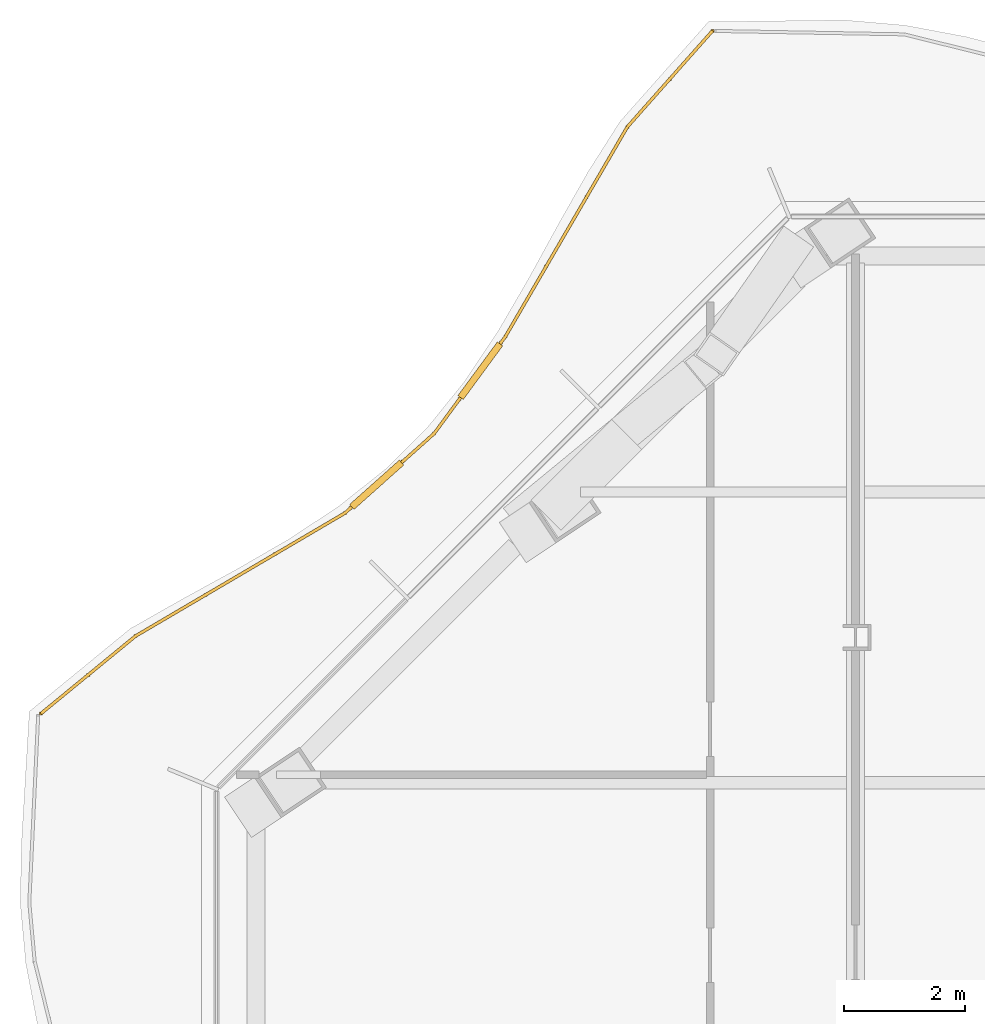
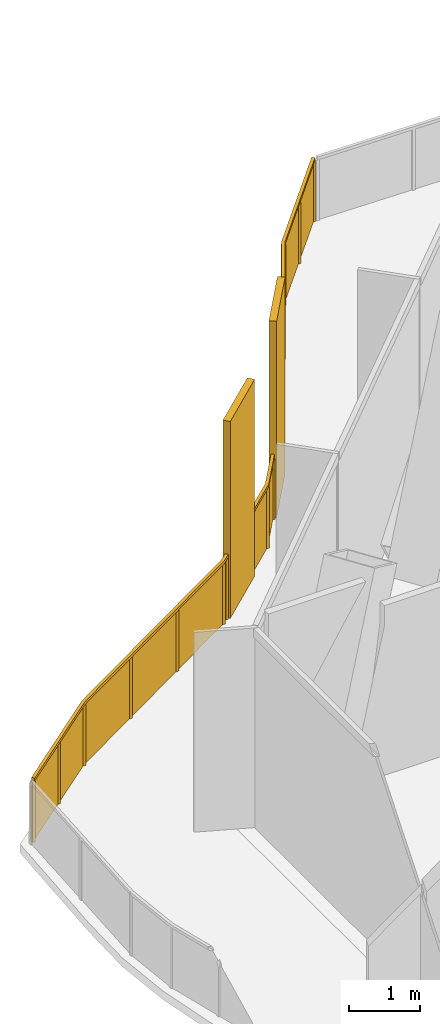
# One storey, part 18 of 20: 1 railing.
"""IFC4 building model written with IfcOpenShell, lengths in metres."""

from ifc_helpers import new_model, si_unit, direction, frame, origin, origin_2d, place, context, subcontext, project, spatial, polyline, rectangle, outline, extrude, material, type_object, element, save


model = new_model("IFC4")

# Units and contexts
model_context = context("Model", 3, precision=1e-05, world=origin(), true_north=direction((0.0, 1.0)))
body_context = subcontext(model_context, "Body", "Model", "MODEL_VIEW")
ifc_project = project(units=[si_unit("LENGTHUNIT", "METRE"), si_unit("AREAUNIT", "SQUARE_METRE"), si_unit("VOLUMEUNIT", "CUBIC_METRE"), si_unit("PLANEANGLEUNIT", "RADIAN"), si_unit("MASSUNIT", "GRAM", prefix="KILO")], contexts=[model_context])

# Site, building, storey
site_placement = place(None, origin())
site = spatial("IfcSite", under=ifc_project, at=site_placement, CompositionType="ELEMENT")
building_placement = place(site_placement, origin())
building = spatial("IfcBuilding", under=site, at=building_placement, Name="Cairn Pilgrim Tower", CompositionType="ELEMENT")
storey_placement = place(building_placement, frame((0.0, 0.0, 101.39990234375)))
storey = spatial("IfcBuildingStorey", under=building, at=storey_placement, Name="L24", CompositionType="ELEMENT", Elevation=101.39990234375)

# Railing
ifc_material = material(Name="Bronze anodised aluminium rail, posts and fin screens with laminated glass infill", Category="aluminium")
railing_type = type_object("IfcRailingType", Name="BALCONY GUARD WITH FIN SCREENS", PredefinedType="GUARDRAIL", material=ifc_material)
railing_placement = place(storey_placement, frame((-16.7626953125, 29.21630859375, 0.0)))
element("IfcRailing", 1, at=railing_placement, inside=storey, type_object=railing_type, Name="Balcony guard BGF-6 with fin screens", PredefinedType="GUARDRAIL", context=body_context, shape_type="SweptSolid", body=[
    extrude(rectangle(XDim=0.050048828125, YDim=0.050048828125, at=origin_2d()), frame((0.0, 0.0, 1.0751953125), z_axis=(-0.663247382076, -0.748400233945, 0.0), x_axis=(0.748400233945, -0.663247382076, 0.0)), (0.0, 0.0, 1.0), 2.118896484375),
    extrude(rectangle(XDim=0.050048828125, YDim=0.050048828125, at=origin_2d()), frame((-1.4052734375, -1.585693359375, 1.0751953125), z_axis=(-0.502760281441, -0.864425878491, 0.0), x_axis=(0.864425878491, -0.502760281441, 0.0)), (0.0, 0.0, 1.0), 4.005615234375),
    extrude(rectangle(XDim=1.10009765625, YDim=0.110107421875, at=origin_2d()), frame((-3.83349609375, -5.6123046875, 0.0), z_axis=(0.0, 0.0, 1.0), x_axis=(-0.592141616732, -0.805833919448, 0.0)), (0.0, 0.0, 1.0), 3.39990234375),
    extrude(rectangle(XDim=0.050048828125, YDim=0.050048828125, at=origin_2d()), frame((-3.419189453125, -5.04833984375, 1.0751953125), z_axis=(-0.592141616732, -0.805833919448, 0.0), x_axis=(0.805833919448, -0.592141616732, 0.0)), (0.0, 0.0, 1.0), 0.14990234375),
    extrude(rectangle(XDim=0.050048828125, YDim=0.050048828125, at=origin_2d()), frame((-4.1591796875, -6.055419921875, 1.0751953125), z_axis=(-0.592141616732, -0.805833919448, 0.0), x_axis=(0.805833919448, -0.592141616732, 0.0)), (0.0, 0.0, 1.0), 0.73583984375),
    extrude(rectangle(XDim=1.10009765625, YDim=0.110107421875, at=origin_2d()), frame((-5.54541015625, -7.495849609375, 0.0), z_axis=(0.0, 0.0, 1.0), x_axis=(-0.746405051274, -0.665491922891, 0.0)), (0.0, 0.0, 1.0), 3.39990234375),
    extrude(rectangle(XDim=0.050048828125, YDim=0.050048828125, at=origin_2d()), frame((-4.594970703125, -6.6484375, 1.0751953125), z_axis=(-0.746405051274, -0.665491922891, 0.0), x_axis=(0.665491922891, -0.746405051274, 0.0)), (0.0, 0.0, 1.0), 0.72314453125),
    extrude(rectangle(XDim=0.050048828125, YDim=0.050048828125, at=origin_2d()), frame((-5.955810546875, -7.86181640625, 1.0751953125), z_axis=(-0.746405051274, -0.665491922891, 0.0), x_axis=(0.665491922891, -0.746405051274, 0.0)), (0.0, 0.0, 1.0), 0.150146484375),
    extrude(rectangle(XDim=0.050048828125, YDim=0.050048828125, at=origin_2d()), frame((-6.06787109375, -7.961669921875, 1.0751953125), z_axis=(-0.862251684596, -0.506480041474, 0.0), x_axis=(0.506480041474, -0.862251684596, 0.0)), (0.0, 0.0, 1.0), 4.010986328125),
    extrude(rectangle(XDim=0.050048828125, YDim=0.050048828125, at=origin_2d()), frame((-9.5263671875, -9.9931640625, 1.0751953125), z_axis=(-0.773337707623, -0.633994313829, 0.0), x_axis=(0.633994313829, -0.773337707623, 0.0)), (0.0, 0.0, 1.0), 2.020263671875),
    extrude(rectangle(XDim=0.050048828125, YDim=0.050048828125, at=origin_2d()), origin(), (0.0, 0.0, 1.0), 1.050048828125),
    extrude(rectangle(XDim=0.050048828125, YDim=0.050048828125, at=origin_2d()), frame((-0.70263671875, -0.79296875, 0.0)), (0.0, 0.0, 1.0), 1.050048828125),
    extrude(rectangle(XDim=0.050048828125, YDim=0.050048828125, at=origin_2d()), frame((-1.4052734375, -1.585693359375, 0.0)), (0.0, 0.0, 1.0), 1.050048828125),
    extrude(rectangle(XDim=0.050048828125, YDim=0.050048828125, at=origin_2d()), frame((-2.07666015625, -2.739990234375, 0.0)), (0.0, 0.0, 1.0), 1.050048828125),
    extrude(rectangle(XDim=0.050048828125, YDim=0.050048828125, at=origin_2d()), frame((-2.747802734375, -3.89404296875, 0.0)), (0.0, 0.0, 1.0), 1.050048828125),
    extrude(rectangle(XDim=0.050048828125, YDim=0.050048828125, at=origin_2d()), frame((-3.419189453125, -5.04833984375, 0.0)), (0.0, 0.0, 1.0), 1.050048828125),
    extrude(rectangle(XDim=0.050048828125, YDim=0.050048828125, at=origin_2d()), frame((-3.4931640625, -5.14892578125, 0.0)), (0.0, 0.0, 1.0), 1.050048828125),
    extrude(rectangle(XDim=0.050048828125, YDim=0.050048828125, at=origin_2d()), frame((-4.174072265625, -6.07568359375, 0.0)), (0.0, 0.0, 1.0), 1.050048828125),
    extrude(rectangle(XDim=0.050048828125, YDim=0.050048828125, at=origin_2d()), frame((-4.594970703125, -6.6484375, 0.0)), (0.0, 0.0, 1.0), 1.050048828125),
    extrude(rectangle(XDim=0.050048828125, YDim=0.050048828125, at=origin_2d()), frame((-5.1162109375, -7.113037109375, 0.0)), (0.0, 0.0, 1.0), 1.050048828125),
    extrude(rectangle(XDim=0.050048828125, YDim=0.050048828125, at=origin_2d()), frame((-5.974609375, -7.87841796875, 0.0)), (0.0, 0.0, 1.0), 1.050048828125),
    extrude(rectangle(XDim=0.050048828125, YDim=0.050048828125, at=origin_2d()), frame((-6.06787109375, -7.961669921875, 0.0)), (0.0, 0.0, 1.0), 1.050048828125),
    extrude(rectangle(XDim=0.050048828125, YDim=0.050048828125, at=origin_2d()), frame((-7.220703125, -8.638916015625, 0.0)), (0.0, 0.0, 1.0), 1.050048828125),
    extrude(rectangle(XDim=0.050048828125, YDim=0.050048828125, at=origin_2d()), frame((-8.37353515625, -9.31591796875, 0.0)), (0.0, 0.0, 1.0), 1.050048828125),
    extrude(rectangle(XDim=0.050048828125, YDim=0.050048828125, at=origin_2d()), frame((-9.5263671875, -9.9931640625, 0.0)), (0.0, 0.0, 1.0), 1.050048828125),
    extrude(rectangle(XDim=0.050048828125, YDim=0.050048828125, at=origin_2d()), frame((-10.3076171875, -10.633544921875, 0.0)), (0.0, 0.0, 1.0), 1.050048828125),
    extrude(rectangle(XDim=0.050048828125, YDim=0.050048828125, at=origin_2d()), frame((-11.088623046875, -11.27392578125, 0.0)), (0.0, 0.0, 1.0), 1.050048828125),
    extrude(outline(polyline([(0.02490234375, 0.0), (1.034423828125, 0.0), (1.034423828125, 1.050048828125), (0.02490234375, 1.050048828125), (0.02490234375, 0.0)])), frame((0.00439453125, -0.00390625, 0.0), z_axis=(-0.748400233945, 0.663247382076, 0.0), x_axis=(-0.663247382076, -0.748400233945, 0.0)), (0.0, 0.0, 1.0), 0.011962890625),
    extrude(outline(polyline([(0.02490234375, 0.0), (1.034423828125, 0.0), (1.034423828125, 1.050048828125), (0.02490234375, 1.050048828125), (0.02490234375, 0.0)])), frame((-0.6982421875, -0.796875, 0.0), z_axis=(-0.748400233945, 0.663247382076, 0.0), x_axis=(-0.663247382076, -0.748400233945, 0.0)), (0.0, 0.0, 1.0), 0.011962890625),
    extrude(outline(polyline([(0.02490234375, 0.0), (1.310302734375, 0.0), (1.310302734375, 1.050048828125), (0.02490234375, 1.050048828125), (0.02490234375, 0.0)])), frame((-1.400146484375, -1.588623046875, 0.0), z_axis=(-0.864425878491, 0.502760281441, 0.0), x_axis=(-0.502760281441, -0.864425878491, 0.0)), (0.0, 0.0, 1.0), 0.011962890625),
    extrude(outline(polyline([(0.02490234375, 0.0), (1.310302734375, 0.0), (1.310302734375, 1.050048828125), (0.02490234375, 1.050048828125), (0.02490234375, 0.0)])), frame((-2.0712890625, -2.742919921875, 0.0), z_axis=(-0.864425878491, 0.502760281441, 0.0), x_axis=(-0.502760281441, -0.864425878491, 0.0)), (0.0, 0.0, 1.0), 0.011962890625),
    extrude(outline(polyline([(0.02490234375, 0.0), (1.310302734375, 0.0), (1.310302734375, 1.050048828125), (0.02490234375, 1.050048828125), (0.02490234375, 0.0)])), frame((-2.74267578125, -3.897216796875, 0.0), z_axis=(-0.864425878491, 0.502760281441, 0.0), x_axis=(-0.502760281441, -0.864425878491, 0.0)), (0.0, 0.0, 1.0), 0.011962890625),
    extrude(outline(polyline([(0.02490234375, 0.0), (0.099853515625, 0.0), (0.099853515625, 1.050048828125), (0.02490234375, 1.050048828125), (0.02490234375, 0.0)])), frame((-3.414306640625, -5.052001953125, 0.0), z_axis=(-0.805833919448, 0.592141616732, 0.0), x_axis=(-0.592141616732, -0.805833919448, 0.0)), (0.0, 0.0, 1.0), 0.011962890625),
    extrude(outline(polyline([(0.02490234375, 0.0), (0.685791015625, 0.0), (0.685791015625, 1.050048828125), (0.02490234375, 1.050048828125), (0.02490234375, 0.0)])), frame((-4.169189453125, -6.0791015625, 0.0), z_axis=(-0.805833919448, 0.592141616732, 0.0), x_axis=(-0.592141616732, -0.805833919448, 0.0)), (0.0, 0.0, 1.0), 0.011962890625),
    extrude(outline(polyline([(0.02490234375, 0.0), (0.673095703125, 0.0), (0.673095703125, 1.050048828125), (0.02490234375, 1.050048828125), (0.02490234375, 0.0)])), frame((-4.591064453125, -6.65283203125, 0.0), z_axis=(-0.665491922891, 0.746405051274, 0.0), x_axis=(-0.746405051274, -0.665491922891, 0.0)), (0.0, 0.0, 1.0), 0.011962890625),
    extrude(outline(polyline([(0.02490234375, 0.0), (0.10009765625, 0.0), (0.10009765625, 1.050048828125), (0.02490234375, 1.050048828125), (0.02490234375, 0.0)])), frame((-5.970458984375, -7.8828125, 0.0), z_axis=(-0.665491922891, 0.746405051274, 0.0), x_axis=(-0.746405051274, -0.665491922891, 0.0)), (0.0, 0.0, 1.0), 0.011962890625),
    extrude(outline(polyline([(0.02490234375, 0.0), (1.31201171875, 0.0), (1.31201171875, 1.050048828125), (0.02490234375, 1.050048828125), (0.02490234375, 0.0)])), frame((-6.06494140625, -7.966796875, 0.0), z_axis=(-0.506480041474, 0.862251684596, 0.0), x_axis=(-0.862251684596, -0.506480041474, 0.0)), (0.0, 0.0, 1.0), 0.011962890625),
    extrude(outline(polyline([(0.02490234375, 0.0), (1.31201171875, 0.0), (1.31201171875, 1.050048828125), (0.02490234375, 1.050048828125), (0.02490234375, 0.0)])), frame((-7.2177734375, -8.64404296875, 0.0), z_axis=(-0.506480041474, 0.862251684596, 0.0), x_axis=(-0.862251684596, -0.506480041474, 0.0)), (0.0, 0.0, 1.0), 0.011962890625),
    extrude(outline(polyline([(0.02490234375, 0.0), (1.31201171875, 0.0), (1.31201171875, 1.050048828125), (0.02490234375, 1.050048828125), (0.02490234375, 0.0)])), frame((-8.37060546875, -9.321044921875, 0.0), z_axis=(-0.506480041474, 0.862251684596, 0.0), x_axis=(-0.862251684596, -0.506480041474, 0.0)), (0.0, 0.0, 1.0), 0.011962890625),
    extrude(outline(polyline([(0.02490234375, 0.0), (0.985107421875, 0.0), (0.985107421875, 1.050048828125), (0.02490234375, 1.050048828125), (0.02490234375, 0.0)])), frame((-9.5224609375, -9.997802734375, 0.0), z_axis=(-0.633994313829, 0.773337707623, 0.0), x_axis=(-0.773337707623, -0.633994313829, 0.0)), (0.0, 0.0, 1.0), 0.011962890625),
    extrude(outline(polyline([(0.02490234375, 0.0), (0.985107421875, 0.0), (0.985107421875, 1.050048828125), (0.02490234375, 1.050048828125), (0.02490234375, 0.0)])), frame((-10.3037109375, -10.63818359375, 0.0), z_axis=(-0.633994313829, 0.773337707623, 0.0), x_axis=(-0.773337707623, -0.633994313829, 0.0)), (0.0, 0.0, 1.0), 0.011962890625),
])

save(model, "model.ifc")
